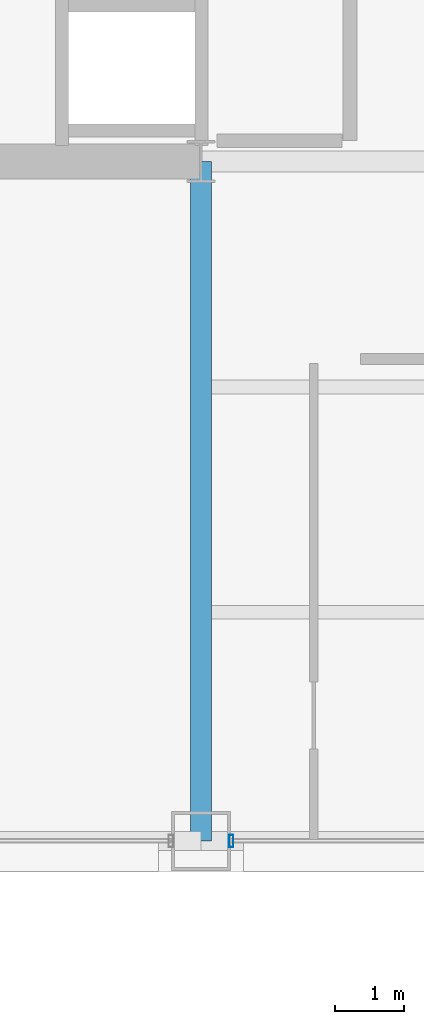
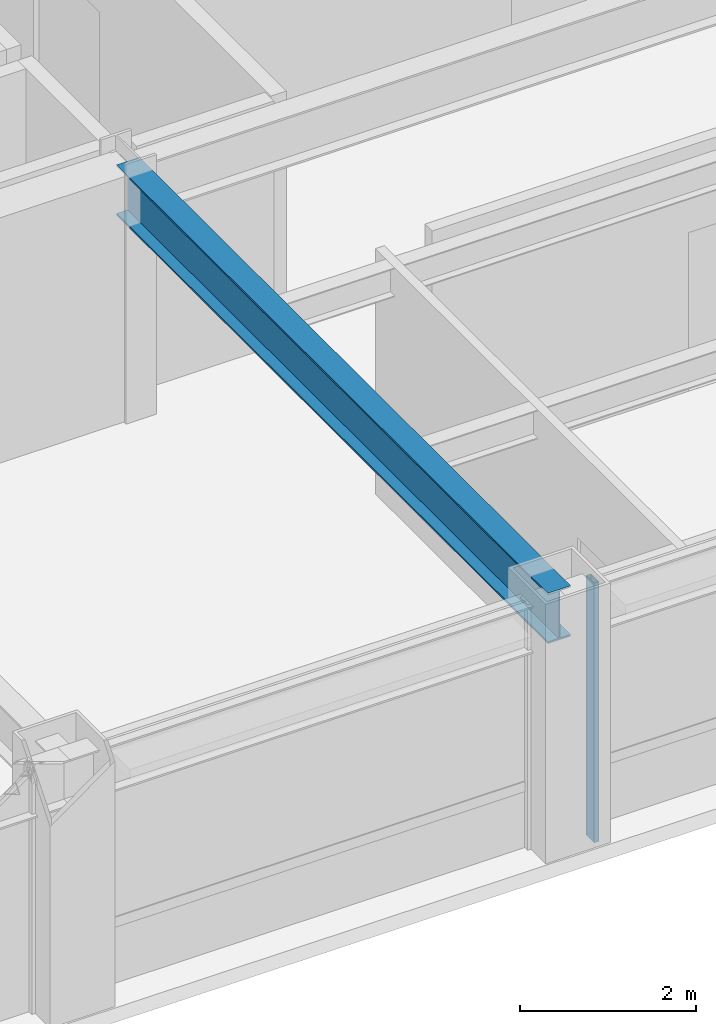
# One storey, part 5 of 31: 1 beam, 1 member, 1 element without a shape of its own.
"""IFC4 building model written with IfcOpenShell, lengths in metres."""

from ifc_helpers import new_model, si_unit, direction, frame, origin, origin_2d, place, context, subcontext, project, spatial, hollow_rectangle, i_section, extrude, material, layer, layer_set, material_profile, profile_set, type_object, element, aggregate, save


model = new_model("IFC4")

# Units and contexts
model_context = context("Model", 3, precision=1e-05, world=origin(), true_north=direction((0.0, 1.0)))
body_context = subcontext(model_context, "Body", "Model", "MODEL_VIEW")
ifc_project = project(units=[si_unit("LENGTHUNIT", "METRE"), si_unit("AREAUNIT", "SQUARE_METRE"), si_unit("VOLUMEUNIT", "CUBIC_METRE"), si_unit("PLANEANGLEUNIT", "RADIAN"), si_unit("MASSUNIT", "GRAM", prefix="KILO")], contexts=[model_context])

# Site, building, storey
site_placement = place(None, origin())
site = spatial("IfcSite", under=ifc_project, at=site_placement, CompositionType="ELEMENT")
building_placement = place(site_placement, origin())
building = spatial("IfcBuilding", under=site, at=building_placement, Name="Brelmoor Portico Tower", CompositionType="ELEMENT")
storey_placement = place(building_placement, frame((0.0, 0.0, 113.39990234375)))
storey = spatial("IfcBuildingStorey", under=building, at=storey_placement, Name="L29", CompositionType="ELEMENT", Elevation=113.39990234375)

# Beam
ifc_material_1 = material(Name="Steel Q355B", Category="steel")
ifc_material_profile_1 = material_profile(ifc_material_1, i_section(OverallWidth=0.300048828125, OverallDepth=0.699951171875, WebThickness=0.012939453125, FlangeThickness=0.02392578125, at=origin_2d()), Name="HN 700x300x13x24")
ifc_profile_set_1 = profile_set([ifc_material_profile_1], Name="Steel Q355B")
beam_type = type_object("IfcBeamType", Name="BM-PG-700", PredefinedType="BEAM", material=ifc_profile_set_1)
beam_placement = place(storey_placement, frame((-8.050048828125, -19.550048828125, 3.050048828125), z_axis=(0.0, 1.0, 0.0), x_axis=(-1.0, 0.0, 0.0)))
element("IfcBeam", 1, at=beam_placement, inside=storey, type_object=beam_type, Name="L29 Primary Floor Girder PG-05", PredefinedType="BEAM", context=body_context, shape_type="SweptSolid", body=[
    extrude(i_section(OverallWidth=0.300048828125, OverallDepth=0.699951171875, WebThickness=0.012939453125, FlangeThickness=0.02392578125, at=origin_2d()), origin(), (0.0, 0.0, 1.0), 9.800048828125),
])

# Curtain wall, member
ifc_material_2 = material(Name="Anodised Aluminium Alloy 6063-T6", Category="aluminium")
ifc_layer = layer(ifc_material_2, 0.179931640625)
ifc_layer_set = layer_set([ifc_layer], Name="Anodised Aluminium Alloy 6063-T6")
curtain_wall_type = type_object("IfcCurtainWallType", Name="CW-TOWER-Z2", PredefinedType="NOTDEFINED", material=ifc_layer_set)
curtain_wall_placement = place(storey_placement, origin())
curtain_wall = element("IfcCurtainWall", 2, at=curtain_wall_placement, inside=storey, type_object=curtain_wall_type, Name="L29 Curtain Wall CW-L29-1L-3", PredefinedType="NOTDEFINED")
ifc_material_profile_2 = material_profile(ifc_material_2, hollow_rectangle(XDim=0.06494140625, YDim=0.179931640625, WallThickness=0.00390625, at=origin_2d()), Name="ALU MULLION 65x180")
ifc_profile_set_2 = profile_set([ifc_material_profile_2], Name="Anodised Aluminium Alloy 6063-T6")
member_type = type_object("IfcMemberType", Name="MB-CW-MULL-180", PredefinedType="MULLION", material=ifc_profile_set_2)
member_placement = place(storey_placement, frame((-7.614990234375, -19.550048828125, -0.199951171875), z_axis=(0.0, 0.0, 1.0), x_axis=(1.0, 0.0, 0.0)))
member = element("IfcMember", 3, at=member_placement, type_object=member_type, Name="CW-L29-1L-3 Mullion 00", PredefinedType="MULLION", context=body_context, shape_type="SweptSolid", body=[
    extrude(hollow_rectangle(XDim=0.06494140625, YDim=0.179931640625, WallThickness=0.00390625, at=origin_2d()), origin(), (0.0, 0.0, 1.0), 3.60009765625),
])
aggregate(curtain_wall, [member])

save(model, "model.ifc")
